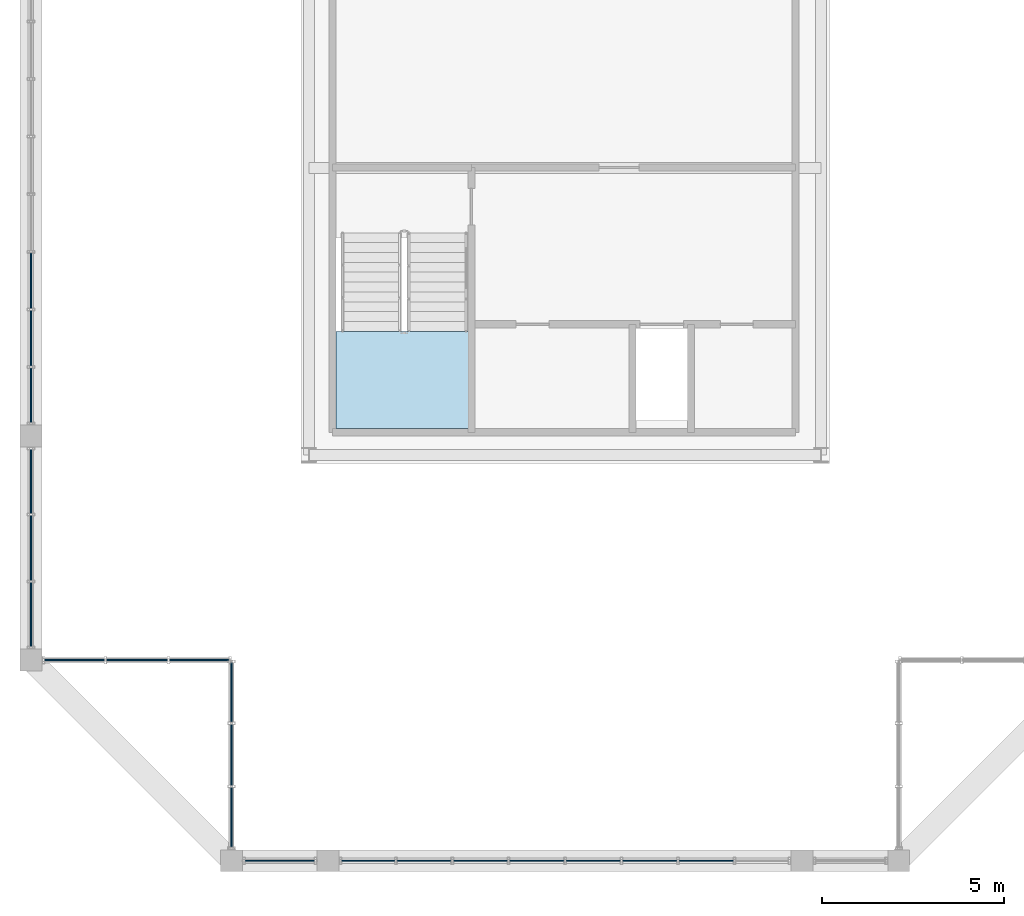
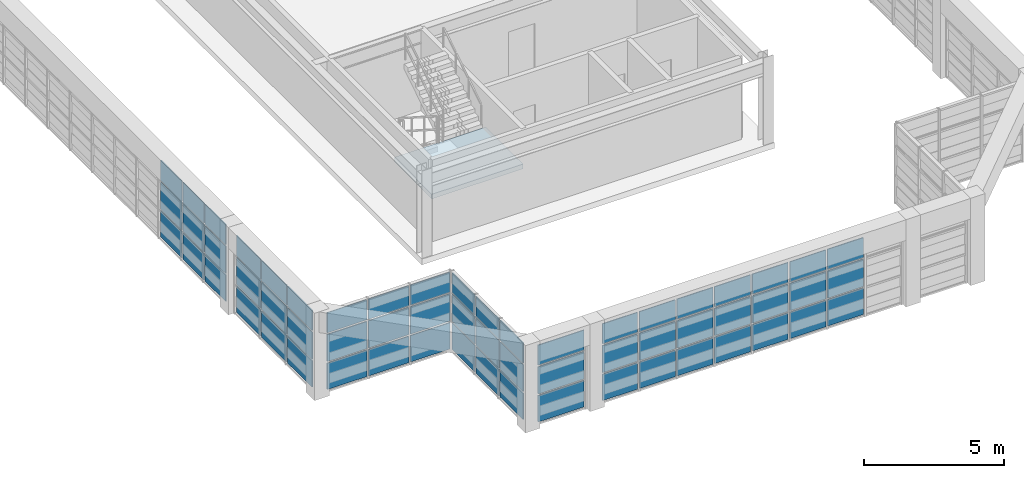
# One storey, part 20 of 27: 60 plates, 1 slab, 7 elements without a shape of their own.
"""IFC4 building model written with IfcOpenShell, lengths in metres."""

from ifc_helpers import new_model, si_unit, direction, frame, origin, origin_2d, place, context, subcontext, project, spatial, polyline, rectangle, outline, extrude, source, transform, mapped, material, layer, layer_set, type_object, element, aggregate, save


model = new_model("IFC4")

# Units and contexts
model_context = context("Model", 3, precision=1e-05, world=origin(), true_north=direction((0.0, 1.0)))
body_context = subcontext(model_context, "Body", "Model", "MODEL_VIEW")
ifc_project = project(units=[si_unit("LENGTHUNIT", "METRE"), si_unit("AREAUNIT", "SQUARE_METRE"), si_unit("VOLUMEUNIT", "CUBIC_METRE"), si_unit("PLANEANGLEUNIT", "RADIAN"), si_unit("MASSUNIT", "GRAM", prefix="KILO")], contexts=[model_context])

# Site, building, storey
site_placement = place(None, origin())
site = spatial("IfcSite", under=ifc_project, at=site_placement, CompositionType="ELEMENT")
building_placement = place(site_placement, origin())
building = spatial("IfcBuilding", under=site, at=building_placement, Name="Saelheon Loggia Tower", CompositionType="ELEMENT")
storey_placement = place(building_placement, frame((0.0, 0.0, 256.0)))
storey = spatial("IfcBuildingStorey", under=building, at=storey_placement, Name="CR2", CompositionType="ELEMENT", Elevation=256.0)

# Stair, slab
ifc_material_1 = material(Name="Concrete C40/50", Category="concrete")
stair_type = type_object("IfcStairType", Name="Stair_Plant_Crown", PredefinedType="HALF_TURN_STAIR", material=ifc_material_1)
stair_placement = place(storey_placement, origin())
stair = element("IfcStair", 1, at=stair_placement, inside=storey, type_object=stair_type, Name="CR2 Crown Plant Stair ST5", PredefinedType="HALF_TURN_STAIR")
ifc_layer_1 = layer(ifc_material_1, 0.199951171875)
ifc_layer_set_1 = layer_set([ifc_layer_1], Name="Concrete C40/50")
slab_type = type_object("IfcSlabType", Name="Slab_StairLanding_ST5", PredefinedType="LANDING", material=ifc_layer_set_1)
slab_placement = place(storey_placement, frame((0.0, 0.0, 1.699951171875)))
slab = element("IfcSlab", 2, at=slab_placement, type_object=slab_type, Name="ST5 landing 1", PredefinedType="LANDING", context=body_context, shape_type="SweptSolid", body=[
    extrude(outline(polyline([(31.7099609375, 20.8701171875), (31.7099609375, 18.2099609375), (35.469970703125, 18.2099609375), (35.469970703125, 20.8701171875), (31.7099609375, 20.8701171875)])), origin(), (0.0, 0.0, 1.0), 0.199951171875),
])
aggregate(stair, [slab])

# Curtain wall, plates
ifc_material_2 = material(Name="Bronze-Anodised Aluminium and Fritted Ceramic Screen", Category="aluminium")
ifc_layer_2 = layer(ifc_material_2, 0.219970703125)
ifc_layer_set_2 = layer_set([ifc_layer_2], Name="Bronze-Anodised Aluminium and Fritted Ceramic Screen")
curtain_wall_type = type_object("IfcCurtainWallType", Name="CW_CrownScreen", PredefinedType="NOTDEFINED", material=ifc_layer_set_2)
curtain_wall_1_placement = place(storey_placement, origin())
curtain_wall_1 = element("IfcCurtainWall", 3, at=curtain_wall_1_placement, inside=storey, type_object=curtain_wall_type, Name="CR2 Crown Screen Curtain Wall 0-1", PredefinedType="NOTDEFINED")
ifc_material_3 = material(Name="Bronze Ceramic Fritted Spandrel Panel", Category="aluminium")
ifc_layer_3 = layer(ifc_material_3, 0.0380859375)
ifc_layer_set_3 = layer_set([ifc_layer_3], Name="Bronze Ceramic Fritted Spandrel Panel")
plate_type = type_object("IfcPlateType", Name="CW_CrownScreen_Panel", PredefinedType="CURTAIN_PANEL", material=ifc_layer_set_3)
shared_shape_1 = source(origin(), body_context, "Body", "SweptSolid", [
    extrude(rectangle(XDim=1.889892578125, YDim=0.0380859375, at=origin_2d()), origin(), (0.0, 0.0, 1.0), 1.14501953125),
])
plate_1_placement = place(storey_placement, frame((30.175048828125, 6.35009765625, 0.070068359375), z_axis=(0.0, 0.0, 1.0), x_axis=(1.0, 0.0, 0.0)))
plate_1 = element("IfcPlate", 4, at=plate_1_placement, type_object=plate_type, Name="CW6 panel 1.1", PredefinedType="CURTAIN_PANEL", context=body_context, shape_type="MappedRepresentation", body=[
    mapped(shared_shape_1, transform((0.0, 0.0, 0.0), scale=1.0)),
])
shared_shape_2 = source(origin(), body_context, "Body", "SweptSolid", [
    extrude(rectangle(XDim=1.889892578125, YDim=0.0380859375, at=origin_2d()), origin(), (0.0, 0.0, 1.0), 1.179931640625),
])
plate_2_placement = place(storey_placement, frame((30.175048828125, 6.35009765625, 1.28515625), z_axis=(0.0, 0.0, 1.0), x_axis=(1.0, 0.0, 0.0)))
plate_2 = element("IfcPlate", 5, at=plate_2_placement, type_object=plate_type, Name="CW6 panel 1.2", PredefinedType="CURTAIN_PANEL", context=body_context, shape_type="MappedRepresentation", body=[
    mapped(shared_shape_2, transform((0.0, 0.0, 0.0), scale=1.0)),
])
shared_shape_3 = source(origin(), body_context, "Body", "SweptSolid", [
    extrude(rectangle(XDim=1.889892578125, YDim=0.0380859375, at=origin_2d()), origin(), (0.0, 0.0, 1.0), 0.875),
])
plate_3_placement = place(storey_placement, frame((30.175048828125, 6.35009765625, 2.534912109375), z_axis=(0.0, 0.0, 1.0), x_axis=(1.0, 0.0, 0.0)))
plate_3 = element("IfcPlate", 6, at=plate_3_placement, type_object=plate_type, Name="CW6 panel 1.3", PredefinedType="CURTAIN_PANEL", context=body_context, shape_type="MappedRepresentation", body=[
    mapped(shared_shape_3, transform((0.0, 0.0, 0.0), scale=1.0)),
])
aggregate(curtain_wall_1, [plate_1, plate_2, plate_3])

curtain_wall_2_placement = place(storey_placement, origin())
curtain_wall_2 = element("IfcCurtainWall", 7, at=curtain_wall_2_placement, inside=storey, type_object=curtain_wall_type, Name="CR2 Crown Screen Curtain Wall 0-2", PredefinedType="NOTDEFINED")
shared_shape_4 = source(origin(), body_context, "Body", "SweptSolid", [
    extrude(rectangle(XDim=1.4423828125, YDim=0.0380859375, at=origin_2d()), origin(), (0.0, 0.0, 1.0), 1.14501953125),
])
plate_4_placement = place(storey_placement, frame((32.601318359375, 6.35009765625, 0.070068359375), z_axis=(0.0, 0.0, 1.0), x_axis=(1.0, 0.0, 0.0)))
plate_4 = element("IfcPlate", 8, at=plate_4_placement, type_object=plate_type, Name="CW6 panel 1.1", PredefinedType="CURTAIN_PANEL", context=body_context, shape_type="MappedRepresentation", body=[
    mapped(shared_shape_4, transform((0.0, 0.0, 0.0), scale=1.0)),
])
shared_shape_5 = source(origin(), body_context, "Body", "SweptSolid", [
    extrude(rectangle(XDim=1.4423828125, YDim=0.0380859375, at=origin_2d()), origin(), (0.0, 0.0, 1.0), 1.179931640625),
])
plate_5_placement = place(storey_placement, frame((32.601318359375, 6.35009765625, 1.28515625), z_axis=(0.0, 0.0, 1.0), x_axis=(1.0, 0.0, 0.0)))
plate_5 = element("IfcPlate", 9, at=plate_5_placement, type_object=plate_type, Name="CW6 panel 1.2", PredefinedType="CURTAIN_PANEL", context=body_context, shape_type="MappedRepresentation", body=[
    mapped(shared_shape_5, transform((0.0, 0.0, 0.0), scale=1.0)),
])
shared_shape_6 = source(origin(), body_context, "Body", "SweptSolid", [
    extrude(rectangle(XDim=1.4423828125, YDim=0.0380859375, at=origin_2d()), origin(), (0.0, 0.0, 1.0), 0.875),
])
plate_6_placement = place(storey_placement, frame((32.601318359375, 6.35009765625, 2.534912109375), z_axis=(0.0, 0.0, 1.0), x_axis=(1.0, 0.0, 0.0)))
plate_6 = element("IfcPlate", 10, at=plate_6_placement, type_object=plate_type, Name="CW6 panel 1.3", PredefinedType="CURTAIN_PANEL", context=body_context, shape_type="MappedRepresentation", body=[
    mapped(shared_shape_6, transform((0.0, 0.0, 0.0), scale=1.0)),
])
shared_shape_7 = source(origin(), body_context, "Body", "SweptSolid", [
    extrude(rectangle(XDim=1.4775390625, YDim=0.0380859375, at=origin_2d()), origin(), (0.0, 0.0, 1.0), 1.14501953125),
])
plate_7_placement = place(storey_placement, frame((34.13134765625, 6.35009765625, 0.070068359375), z_axis=(0.0, 0.0, 1.0), x_axis=(1.0, 0.0, 0.0)))
plate_7 = element("IfcPlate", 11, at=plate_7_placement, type_object=plate_type, Name="CW6 panel 2.1", PredefinedType="CURTAIN_PANEL", context=body_context, shape_type="MappedRepresentation", body=[
    mapped(shared_shape_7, transform((0.0, 0.0, 0.0), scale=1.0)),
])
plate_8_placement = place(storey_placement, frame((35.6787109375, 6.35009765625, 0.070068359375), z_axis=(0.0, 0.0, 1.0), x_axis=(1.0, 0.0, 0.0)))
plate_8 = element("IfcPlate", 12, at=plate_8_placement, type_object=plate_type, Name="CW6 panel 3.1", PredefinedType="CURTAIN_PANEL", context=body_context, shape_type="MappedRepresentation", body=[
    mapped(shared_shape_7, transform((0.0, 0.0, 0.0), scale=1.0)),
])
plate_9_placement = place(storey_placement, frame((37.226318359375, 6.35009765625, 0.070068359375), z_axis=(0.0, 0.0, 1.0), x_axis=(1.0, 0.0, 0.0)))
plate_9 = element("IfcPlate", 13, at=plate_9_placement, type_object=plate_type, Name="CW6 panel 4.1", PredefinedType="CURTAIN_PANEL", context=body_context, shape_type="MappedRepresentation", body=[
    mapped(shared_shape_7, transform((0.0, 0.0, 0.0), scale=1.0)),
])
plate_10_placement = place(storey_placement, frame((38.773681640625, 6.35009765625, 0.070068359375), z_axis=(0.0, 0.0, 1.0), x_axis=(1.0, 0.0, 0.0)))
plate_10 = element("IfcPlate", 14, at=plate_10_placement, type_object=plate_type, Name="CW6 panel 5.1", PredefinedType="CURTAIN_PANEL", context=body_context, shape_type="MappedRepresentation", body=[
    mapped(shared_shape_7, transform((0.0, 0.0, 0.0), scale=1.0)),
])
plate_11_placement = place(storey_placement, frame((40.3212890625, 6.35009765625, 0.070068359375), z_axis=(0.0, 0.0, 1.0), x_axis=(1.0, 0.0, 0.0)))
plate_11 = element("IfcPlate", 15, at=plate_11_placement, type_object=plate_type, Name="CW6 panel 6.1", PredefinedType="CURTAIN_PANEL", context=body_context, shape_type="MappedRepresentation", body=[
    mapped(shared_shape_7, transform((0.0, 0.0, 0.0), scale=1.0)),
])
plate_12_placement = place(storey_placement, frame((41.86865234375, 6.35009765625, 0.070068359375), z_axis=(0.0, 0.0, 1.0), x_axis=(1.0, 0.0, 0.0)))
plate_12 = element("IfcPlate", 16, at=plate_12_placement, type_object=plate_type, Name="CW6 panel 7.1", PredefinedType="CURTAIN_PANEL", context=body_context, shape_type="MappedRepresentation", body=[
    mapped(shared_shape_7, transform((0.0, 0.0, 0.0), scale=1.0)),
])
shared_shape_8 = source(origin(), body_context, "Body", "SweptSolid", [
    extrude(rectangle(XDim=1.4775390625, YDim=0.0380859375, at=origin_2d()), origin(), (0.0, 0.0, 1.0), 1.179931640625),
])
plate_13_placement = place(storey_placement, frame((34.13134765625, 6.35009765625, 1.28515625), z_axis=(0.0, 0.0, 1.0), x_axis=(1.0, 0.0, 0.0)))
plate_13 = element("IfcPlate", 17, at=plate_13_placement, type_object=plate_type, Name="CW6 panel 2.2", PredefinedType="CURTAIN_PANEL", context=body_context, shape_type="MappedRepresentation", body=[
    mapped(shared_shape_8, transform((0.0, 0.0, 0.0), scale=1.0)),
])
plate_14_placement = place(storey_placement, frame((35.6787109375, 6.35009765625, 1.28515625), z_axis=(0.0, 0.0, 1.0), x_axis=(1.0, 0.0, 0.0)))
plate_14 = element("IfcPlate", 18, at=plate_14_placement, type_object=plate_type, Name="CW6 panel 3.2", PredefinedType="CURTAIN_PANEL", context=body_context, shape_type="MappedRepresentation", body=[
    mapped(shared_shape_8, transform((0.0, 0.0, 0.0), scale=1.0)),
])
plate_15_placement = place(storey_placement, frame((37.226318359375, 6.35009765625, 1.28515625), z_axis=(0.0, 0.0, 1.0), x_axis=(1.0, 0.0, 0.0)))
plate_15 = element("IfcPlate", 19, at=plate_15_placement, type_object=plate_type, Name="CW6 panel 4.2", PredefinedType="CURTAIN_PANEL", context=body_context, shape_type="MappedRepresentation", body=[
    mapped(shared_shape_8, transform((0.0, 0.0, 0.0), scale=1.0)),
])
plate_16_placement = place(storey_placement, frame((38.773681640625, 6.35009765625, 1.28515625), z_axis=(0.0, 0.0, 1.0), x_axis=(1.0, 0.0, 0.0)))
plate_16 = element("IfcPlate", 20, at=plate_16_placement, type_object=plate_type, Name="CW6 panel 5.2", PredefinedType="CURTAIN_PANEL", context=body_context, shape_type="MappedRepresentation", body=[
    mapped(shared_shape_8, transform((0.0, 0.0, 0.0), scale=1.0)),
])
plate_17_placement = place(storey_placement, frame((40.3212890625, 6.35009765625, 1.28515625), z_axis=(0.0, 0.0, 1.0), x_axis=(1.0, 0.0, 0.0)))
plate_17 = element("IfcPlate", 21, at=plate_17_placement, type_object=plate_type, Name="CW6 panel 6.2", PredefinedType="CURTAIN_PANEL", context=body_context, shape_type="MappedRepresentation", body=[
    mapped(shared_shape_8, transform((0.0, 0.0, 0.0), scale=1.0)),
])
plate_18_placement = place(storey_placement, frame((41.86865234375, 6.35009765625, 1.28515625), z_axis=(0.0, 0.0, 1.0), x_axis=(1.0, 0.0, 0.0)))
plate_18 = element("IfcPlate", 22, at=plate_18_placement, type_object=plate_type, Name="CW6 panel 7.2", PredefinedType="CURTAIN_PANEL", context=body_context, shape_type="MappedRepresentation", body=[
    mapped(shared_shape_8, transform((0.0, 0.0, 0.0), scale=1.0)),
])
shared_shape_9 = source(origin(), body_context, "Body", "SweptSolid", [
    extrude(rectangle(XDim=1.4775390625, YDim=0.0380859375, at=origin_2d()), origin(), (0.0, 0.0, 1.0), 0.875),
])
plate_19_placement = place(storey_placement, frame((34.13134765625, 6.35009765625, 2.534912109375), z_axis=(0.0, 0.0, 1.0), x_axis=(1.0, 0.0, 0.0)))
plate_19 = element("IfcPlate", 23, at=plate_19_placement, type_object=plate_type, Name="CW6 panel 2.3", PredefinedType="CURTAIN_PANEL", context=body_context, shape_type="MappedRepresentation", body=[
    mapped(shared_shape_9, transform((0.0, 0.0, 0.0), scale=1.0)),
])
plate_20_placement = place(storey_placement, frame((35.6787109375, 6.35009765625, 2.534912109375), z_axis=(0.0, 0.0, 1.0), x_axis=(1.0, 0.0, 0.0)))
plate_20 = element("IfcPlate", 24, at=plate_20_placement, type_object=plate_type, Name="CW6 panel 3.3", PredefinedType="CURTAIN_PANEL", context=body_context, shape_type="MappedRepresentation", body=[
    mapped(shared_shape_9, transform((0.0, 0.0, 0.0), scale=1.0)),
])
plate_21_placement = place(storey_placement, frame((37.226318359375, 6.35009765625, 2.534912109375), z_axis=(0.0, 0.0, 1.0), x_axis=(1.0, 0.0, 0.0)))
plate_21 = element("IfcPlate", 25, at=plate_21_placement, type_object=plate_type, Name="CW6 panel 4.3", PredefinedType="CURTAIN_PANEL", context=body_context, shape_type="MappedRepresentation", body=[
    mapped(shared_shape_9, transform((0.0, 0.0, 0.0), scale=1.0)),
])
plate_22_placement = place(storey_placement, frame((38.773681640625, 6.35009765625, 2.534912109375), z_axis=(0.0, 0.0, 1.0), x_axis=(1.0, 0.0, 0.0)))
plate_22 = element("IfcPlate", 26, at=plate_22_placement, type_object=plate_type, Name="CW6 panel 5.3", PredefinedType="CURTAIN_PANEL", context=body_context, shape_type="MappedRepresentation", body=[
    mapped(shared_shape_9, transform((0.0, 0.0, 0.0), scale=1.0)),
])
plate_23_placement = place(storey_placement, frame((40.3212890625, 6.35009765625, 2.534912109375), z_axis=(0.0, 0.0, 1.0), x_axis=(1.0, 0.0, 0.0)))
plate_23 = element("IfcPlate", 27, at=plate_23_placement, type_object=plate_type, Name="CW6 panel 6.3", PredefinedType="CURTAIN_PANEL", context=body_context, shape_type="MappedRepresentation", body=[
    mapped(shared_shape_9, transform((0.0, 0.0, 0.0), scale=1.0)),
])
plate_24_placement = place(storey_placement, frame((41.86865234375, 6.35009765625, 2.534912109375), z_axis=(0.0, 0.0, 1.0), x_axis=(1.0, 0.0, 0.0)))
plate_24 = element("IfcPlate", 28, at=plate_24_placement, type_object=plate_type, Name="CW6 panel 7.3", PredefinedType="CURTAIN_PANEL", context=body_context, shape_type="MappedRepresentation", body=[
    mapped(shared_shape_9, transform((0.0, 0.0, 0.0), scale=1.0)),
])
aggregate(curtain_wall_2, [plate_4, plate_5, plate_6, plate_7, plate_13, plate_19, plate_8, plate_14, plate_20, plate_9, plate_15, plate_21, plate_10, plate_16, plate_22, plate_11, plate_17, plate_23, plate_12, plate_18, plate_24])

curtain_wall_3_placement = place(storey_placement, origin())
curtain_wall_3 = element("IfcCurtainWall", 29, at=curtain_wall_3_placement, inside=storey, type_object=curtain_wall_type, Name="CR2 Crown Screen Curtain Wall 10-1", PredefinedType="NOTDEFINED")
shared_shape_10 = source(origin(), body_context, "Body", "SweptSolid", [
    extrude(rectangle(XDim=1.625, YDim=0.0380859375, at=origin_2d()), origin(), (0.0, 0.0, 1.0), 1.14501953125),
])
plate_25_placement = place(storey_placement, frame((24.54248046875, 11.85009765625, 0.070068359375), z_axis=(0.0, 0.0, 1.0), x_axis=(1.0, 0.0, 0.0)))
plate_25 = element("IfcPlate", 30, at=plate_25_placement, type_object=plate_type, Name="CW6 panel 1.1", PredefinedType="CURTAIN_PANEL", context=body_context, shape_type="MappedRepresentation", body=[
    mapped(shared_shape_10, transform((0.0, 0.0, 0.0), scale=1.0)),
])
plate_26_placement = place(storey_placement, frame((27.967529296875, 11.85009765625, 0.070068359375), z_axis=(0.0, 0.0, 1.0), x_axis=(1.0, 0.0, 0.0)))
plate_26 = element("IfcPlate", 31, at=plate_26_placement, type_object=plate_type, Name="CW6 panel 3.1", PredefinedType="CURTAIN_PANEL", context=body_context, shape_type="MappedRepresentation", body=[
    mapped(shared_shape_10, transform((0.0, 0.0, 0.0), scale=1.0)),
])

curtain_wall_4_placement = place(storey_placement, origin())
curtain_wall_4 = element("IfcCurtainWall", 32, at=curtain_wall_4_placement, inside=storey, type_object=curtain_wall_type, Name="CR2 Crown Screen Curtain Wall 11-1", PredefinedType="NOTDEFINED")
plate_27_placement = place(storey_placement, frame((28.85009765625, 10.967529296875, 0.070068359375), z_axis=(0.0, 0.0, 1.0), x_axis=(0.0, -1.0, 0.0)))
plate_27 = element("IfcPlate", 33, at=plate_27_placement, type_object=plate_type, Name="CW6 panel 1.1", PredefinedType="CURTAIN_PANEL", context=body_context, shape_type="MappedRepresentation", body=[
    mapped(shared_shape_10, transform((0.0, 0.0, 0.0), scale=1.0)),
])
plate_28_placement = place(storey_placement, frame((28.85009765625, 7.54248046875, 0.070068359375), z_axis=(0.0, 0.0, 1.0), x_axis=(0.0, -1.0, 0.0)))
plate_28 = element("IfcPlate", 34, at=plate_28_placement, type_object=plate_type, Name="CW6 panel 3.1", PredefinedType="CURTAIN_PANEL", context=body_context, shape_type="MappedRepresentation", body=[
    mapped(shared_shape_10, transform((0.0, 0.0, 0.0), scale=1.0)),
])

# Plate
shared_shape_11 = source(origin(), body_context, "Body", "SweptSolid", [
    extrude(rectangle(XDim=1.625, YDim=0.0380859375, at=origin_2d()), origin(), (0.0, 0.0, 1.0), 1.179931640625),
])
plate_29_placement = place(storey_placement, frame((24.54248046875, 11.85009765625, 1.28515625), z_axis=(0.0, 0.0, 1.0), x_axis=(1.0, 0.0, 0.0)))
plate_29 = element("IfcPlate", 35, at=plate_29_placement, type_object=plate_type, Name="CW6 panel 1.2", PredefinedType="CURTAIN_PANEL", context=body_context, shape_type="MappedRepresentation", body=[
    mapped(shared_shape_11, transform((0.0, 0.0, 0.0), scale=1.0)),
])

plate_30_placement = place(storey_placement, frame((27.967529296875, 11.85009765625, 1.28515625), z_axis=(0.0, 0.0, 1.0), x_axis=(1.0, 0.0, 0.0)))
plate_30 = element("IfcPlate", 36, at=plate_30_placement, type_object=plate_type, Name="CW6 panel 3.2", PredefinedType="CURTAIN_PANEL", context=body_context, shape_type="MappedRepresentation", body=[
    mapped(shared_shape_11, transform((0.0, 0.0, 0.0), scale=1.0)),
])

plate_31_placement = place(storey_placement, frame((28.85009765625, 10.967529296875, 1.28515625), z_axis=(0.0, 0.0, 1.0), x_axis=(0.0, -1.0, 0.0)))
plate_31 = element("IfcPlate", 37, at=plate_31_placement, type_object=plate_type, Name="CW6 panel 1.2", PredefinedType="CURTAIN_PANEL", context=body_context, shape_type="MappedRepresentation", body=[
    mapped(shared_shape_11, transform((0.0, 0.0, 0.0), scale=1.0)),
])

plate_32_placement = place(storey_placement, frame((28.85009765625, 7.54248046875, 1.28515625), z_axis=(0.0, 0.0, 1.0), x_axis=(0.0, -1.0, 0.0)))
plate_32 = element("IfcPlate", 38, at=plate_32_placement, type_object=plate_type, Name="CW6 panel 3.2", PredefinedType="CURTAIN_PANEL", context=body_context, shape_type="MappedRepresentation", body=[
    mapped(shared_shape_11, transform((0.0, 0.0, 0.0), scale=1.0)),
])

shared_shape_12 = source(origin(), body_context, "Body", "SweptSolid", [
    extrude(rectangle(XDim=1.625, YDim=0.0380859375, at=origin_2d()), origin(), (0.0, 0.0, 1.0), 0.875),
])
plate_33_placement = place(storey_placement, frame((24.54248046875, 11.85009765625, 2.534912109375), z_axis=(0.0, 0.0, 1.0), x_axis=(1.0, 0.0, 0.0)))
plate_33 = element("IfcPlate", 39, at=plate_33_placement, type_object=plate_type, Name="CW6 panel 1.3", PredefinedType="CURTAIN_PANEL", context=body_context, shape_type="MappedRepresentation", body=[
    mapped(shared_shape_12, transform((0.0, 0.0, 0.0), scale=1.0)),
])

plate_34_placement = place(storey_placement, frame((27.967529296875, 11.85009765625, 2.534912109375), z_axis=(0.0, 0.0, 1.0), x_axis=(1.0, 0.0, 0.0)))
plate_34 = element("IfcPlate", 40, at=plate_34_placement, type_object=plate_type, Name="CW6 panel 3.3", PredefinedType="CURTAIN_PANEL", context=body_context, shape_type="MappedRepresentation", body=[
    mapped(shared_shape_12, transform((0.0, 0.0, 0.0), scale=1.0)),
])

plate_35_placement = place(storey_placement, frame((28.85009765625, 10.967529296875, 2.534912109375), z_axis=(0.0, 0.0, 1.0), x_axis=(0.0, -1.0, 0.0)))
plate_35 = element("IfcPlate", 41, at=plate_35_placement, type_object=plate_type, Name="CW6 panel 1.3", PredefinedType="CURTAIN_PANEL", context=body_context, shape_type="MappedRepresentation", body=[
    mapped(shared_shape_12, transform((0.0, 0.0, 0.0), scale=1.0)),
])

plate_36_placement = place(storey_placement, frame((28.85009765625, 7.54248046875, 2.534912109375), z_axis=(0.0, 0.0, 1.0), x_axis=(0.0, -1.0, 0.0)))
plate_36 = element("IfcPlate", 42, at=plate_36_placement, type_object=plate_type, Name="CW6 panel 3.3", PredefinedType="CURTAIN_PANEL", context=body_context, shape_type="MappedRepresentation", body=[
    mapped(shared_shape_12, transform((0.0, 0.0, 0.0), scale=1.0)),
])

shared_shape_13 = source(origin(), body_context, "Body", "SweptSolid", [
    extrude(rectangle(XDim=1.659912109375, YDim=0.0380859375, at=origin_2d()), origin(), (0.0, 0.0, 1.0), 1.14501953125),
])
plate_37_placement = place(storey_placement, frame((26.2548828125, 11.85009765625, 0.070068359375), z_axis=(0.0, 0.0, 1.0), x_axis=(1.0, 0.0, 0.0)))
plate_37 = element("IfcPlate", 43, at=plate_37_placement, type_object=plate_type, Name="CW6 panel 2.1", PredefinedType="CURTAIN_PANEL", context=body_context, shape_type="MappedRepresentation", body=[
    mapped(shared_shape_13, transform((0.0, 0.0, 0.0), scale=1.0)),
])

plate_38_placement = place(storey_placement, frame((28.85009765625, 9.2548828125, 0.070068359375), z_axis=(0.0, 0.0, 1.0), x_axis=(0.0, -1.0, 0.0)))
plate_38 = element("IfcPlate", 44, at=plate_38_placement, type_object=plate_type, Name="CW6 panel 2.1", PredefinedType="CURTAIN_PANEL", context=body_context, shape_type="MappedRepresentation", body=[
    mapped(shared_shape_13, transform((0.0, 0.0, 0.0), scale=1.0)),
])

shared_shape_14 = source(origin(), body_context, "Body", "SweptSolid", [
    extrude(rectangle(XDim=1.659912109375, YDim=0.0380859375, at=origin_2d()), origin(), (0.0, 0.0, 1.0), 1.179931640625),
])
plate_39_placement = place(storey_placement, frame((26.2548828125, 11.85009765625, 1.28515625), z_axis=(0.0, 0.0, 1.0), x_axis=(1.0, 0.0, 0.0)))
plate_39 = element("IfcPlate", 45, at=plate_39_placement, type_object=plate_type, Name="CW6 panel 2.2", PredefinedType="CURTAIN_PANEL", context=body_context, shape_type="MappedRepresentation", body=[
    mapped(shared_shape_14, transform((0.0, 0.0, 0.0), scale=1.0)),
])

plate_40_placement = place(storey_placement, frame((28.85009765625, 9.2548828125, 1.28515625), z_axis=(0.0, 0.0, 1.0), x_axis=(0.0, -1.0, 0.0)))
plate_40 = element("IfcPlate", 46, at=plate_40_placement, type_object=plate_type, Name="CW6 panel 2.2", PredefinedType="CURTAIN_PANEL", context=body_context, shape_type="MappedRepresentation", body=[
    mapped(shared_shape_14, transform((0.0, 0.0, 0.0), scale=1.0)),
])

shared_shape_15 = source(origin(), body_context, "Body", "SweptSolid", [
    extrude(rectangle(XDim=1.659912109375, YDim=0.0380859375, at=origin_2d()), origin(), (0.0, 0.0, 1.0), 0.875),
])
plate_41_placement = place(storey_placement, frame((26.2548828125, 11.85009765625, 2.534912109375), z_axis=(0.0, 0.0, 1.0), x_axis=(1.0, 0.0, 0.0)))
plate_41 = element("IfcPlate", 47, at=plate_41_placement, type_object=plate_type, Name="CW6 panel 2.3", PredefinedType="CURTAIN_PANEL", context=body_context, shape_type="MappedRepresentation", body=[
    mapped(shared_shape_15, transform((0.0, 0.0, 0.0), scale=1.0)),
])

aggregate(curtain_wall_3, [plate_25, plate_29, plate_33, plate_37, plate_39, plate_41, plate_26, plate_30, plate_34])

plate_42_placement = place(storey_placement, frame((28.85009765625, 9.2548828125, 2.534912109375), z_axis=(0.0, 0.0, 1.0), x_axis=(0.0, -1.0, 0.0)))
plate_42 = element("IfcPlate", 48, at=plate_42_placement, type_object=plate_type, Name="CW6 panel 2.3", PredefinedType="CURTAIN_PANEL", context=body_context, shape_type="MappedRepresentation", body=[
    mapped(shared_shape_15, transform((0.0, 0.0, 0.0), scale=1.0)),
])

aggregate(curtain_wall_4, [plate_27, plate_31, plate_35, plate_38, plate_40, plate_42, plate_28, plate_32, plate_36])

# Curtain wall, plates
curtain_wall_5_placement = place(storey_placement, origin())
curtain_wall_5 = element("IfcCurtainWall", 49, at=curtain_wall_5_placement, inside=storey, type_object=curtain_wall_type, Name="CR2 Crown Screen Curtain Wall 9-3", PredefinedType="NOTDEFINED")
shared_shape_16 = source(origin(), body_context, "Body", "SweptSolid", [
    extrude(rectangle(XDim=1.73828125, YDim=0.0380859375, at=origin_2d()), origin(), (0.0, 0.0, 1.0), 1.14501953125),
])
plate_43_placement = place(storey_placement, frame((23.35009765625, 16.750732421875, 0.070068359375), z_axis=(0.0, 0.0, 1.0), x_axis=(0.0, -1.0, 0.0)))
plate_43 = element("IfcPlate", 50, at=plate_43_placement, type_object=plate_type, Name="CW6 panel 1.1", PredefinedType="CURTAIN_PANEL", context=body_context, shape_type="MappedRepresentation", body=[
    mapped(shared_shape_16, transform((0.0, 0.0, 0.0), scale=1.0)),
])
plate_44_placement = place(storey_placement, frame((23.35009765625, 13.09912109375, 0.070068359375), z_axis=(0.0, 0.0, 1.0), x_axis=(0.0, -1.0, 0.0)))
plate_44 = element("IfcPlate", 51, at=plate_44_placement, type_object=plate_type, Name="CW6 panel 3.1", PredefinedType="CURTAIN_PANEL", context=body_context, shape_type="MappedRepresentation", body=[
    mapped(shared_shape_16, transform((0.0, 0.0, 0.0), scale=1.0)),
])
shared_shape_17 = source(origin(), body_context, "Body", "SweptSolid", [
    extrude(rectangle(XDim=1.73828125, YDim=0.0380859375, at=origin_2d()), origin(), (0.0, 0.0, 1.0), 1.179931640625),
])
plate_45_placement = place(storey_placement, frame((23.35009765625, 16.750732421875, 1.28515625), z_axis=(0.0, 0.0, 1.0), x_axis=(0.0, -1.0, 0.0)))
plate_45 = element("IfcPlate", 52, at=plate_45_placement, type_object=plate_type, Name="CW6 panel 1.2", PredefinedType="CURTAIN_PANEL", context=body_context, shape_type="MappedRepresentation", body=[
    mapped(shared_shape_17, transform((0.0, 0.0, 0.0), scale=1.0)),
])
plate_46_placement = place(storey_placement, frame((23.35009765625, 13.09912109375, 1.28515625), z_axis=(0.0, 0.0, 1.0), x_axis=(0.0, -1.0, 0.0)))
plate_46 = element("IfcPlate", 53, at=plate_46_placement, type_object=plate_type, Name="CW6 panel 3.2", PredefinedType="CURTAIN_PANEL", context=body_context, shape_type="MappedRepresentation", body=[
    mapped(shared_shape_17, transform((0.0, 0.0, 0.0), scale=1.0)),
])
shared_shape_18 = source(origin(), body_context, "Body", "SweptSolid", [
    extrude(rectangle(XDim=1.73828125, YDim=0.0380859375, at=origin_2d()), origin(), (0.0, 0.0, 1.0), 0.875),
])
plate_47_placement = place(storey_placement, frame((23.35009765625, 16.750732421875, 2.534912109375), z_axis=(0.0, 0.0, 1.0), x_axis=(0.0, -1.0, 0.0)))
plate_47 = element("IfcPlate", 54, at=plate_47_placement, type_object=plate_type, Name="CW6 panel 1.3", PredefinedType="CURTAIN_PANEL", context=body_context, shape_type="MappedRepresentation", body=[
    mapped(shared_shape_18, transform((0.0, 0.0, 0.0), scale=1.0)),
])
plate_48_placement = place(storey_placement, frame((23.35009765625, 13.09912109375, 2.534912109375), z_axis=(0.0, 0.0, 1.0), x_axis=(0.0, -1.0, 0.0)))
plate_48 = element("IfcPlate", 55, at=plate_48_placement, type_object=plate_type, Name="CW6 panel 3.3", PredefinedType="CURTAIN_PANEL", context=body_context, shape_type="MappedRepresentation", body=[
    mapped(shared_shape_18, transform((0.0, 0.0, 0.0), scale=1.0)),
])
shared_shape_19 = source(origin(), body_context, "Body", "SweptSolid", [
    extrude(rectangle(XDim=1.7734375, YDim=0.0380859375, at=origin_2d()), origin(), (0.0, 0.0, 1.0), 1.14501953125),
])
plate_49_placement = place(storey_placement, frame((23.35009765625, 14.925048828125, 0.070068359375), z_axis=(0.0, 0.0, 1.0), x_axis=(0.0, -1.0, 0.0)))
plate_49 = element("IfcPlate", 56, at=plate_49_placement, type_object=plate_type, Name="CW6 panel 2.1", PredefinedType="CURTAIN_PANEL", context=body_context, shape_type="MappedRepresentation", body=[
    mapped(shared_shape_19, transform((0.0, 0.0, 0.0), scale=1.0)),
])
shared_shape_20 = source(origin(), body_context, "Body", "SweptSolid", [
    extrude(rectangle(XDim=1.7734375, YDim=0.0380859375, at=origin_2d()), origin(), (0.0, 0.0, 1.0), 1.179931640625),
])
plate_50_placement = place(storey_placement, frame((23.35009765625, 14.925048828125, 1.28515625), z_axis=(0.0, 0.0, 1.0), x_axis=(0.0, -1.0, 0.0)))
plate_50 = element("IfcPlate", 57, at=plate_50_placement, type_object=plate_type, Name="CW6 panel 2.2", PredefinedType="CURTAIN_PANEL", context=body_context, shape_type="MappedRepresentation", body=[
    mapped(shared_shape_20, transform((0.0, 0.0, 0.0), scale=1.0)),
])
shared_shape_21 = source(origin(), body_context, "Body", "SweptSolid", [
    extrude(rectangle(XDim=1.7734375, YDim=0.0380859375, at=origin_2d()), origin(), (0.0, 0.0, 1.0), 0.875),
])
plate_51_placement = place(storey_placement, frame((23.35009765625, 14.925048828125, 2.534912109375), z_axis=(0.0, 0.0, 1.0), x_axis=(0.0, -1.0, 0.0)))
plate_51 = element("IfcPlate", 58, at=plate_51_placement, type_object=plate_type, Name="CW6 panel 2.3", PredefinedType="CURTAIN_PANEL", context=body_context, shape_type="MappedRepresentation", body=[
    mapped(shared_shape_21, transform((0.0, 0.0, 0.0), scale=1.0)),
])
aggregate(curtain_wall_5, [plate_43, plate_45, plate_47, plate_49, plate_50, plate_51, plate_44, plate_46, plate_48])

curtain_wall_6_placement = place(storey_placement, origin())
curtain_wall_6 = element("IfcCurtainWall", 59, at=curtain_wall_6_placement, inside=storey, type_object=curtain_wall_type, Name="CR2 Crown Screen Curtain Wall 9-2", PredefinedType="NOTDEFINED")
shared_shape_22 = source(origin(), body_context, "Body", "SweptSolid", [
    extrude(rectangle(XDim=1.47509765625, YDim=0.0380859375, at=origin_2d()), origin(), (0.0, 0.0, 1.0), 1.14501953125),
])
plate_52_placement = place(storey_placement, frame((23.35009765625, 19.117431640625, 0.070068359375), z_axis=(0.0, 0.0, 1.0), x_axis=(0.0, -1.0, 0.0)))
plate_52 = element("IfcPlate", 60, at=plate_52_placement, type_object=plate_type, Name="CW6 panel 11.1", PredefinedType="CURTAIN_PANEL", context=body_context, shape_type="MappedRepresentation", body=[
    mapped(shared_shape_22, transform((0.0, 0.0, 0.0), scale=1.0)),
])
shared_shape_23 = source(origin(), body_context, "Body", "SweptSolid", [
    extrude(rectangle(XDim=1.47509765625, YDim=0.0380859375, at=origin_2d()), origin(), (0.0, 0.0, 1.0), 1.179931640625),
])
plate_53_placement = place(storey_placement, frame((23.35009765625, 19.117431640625, 1.28515625), z_axis=(0.0, 0.0, 1.0), x_axis=(0.0, -1.0, 0.0)))
plate_53 = element("IfcPlate", 61, at=plate_53_placement, type_object=plate_type, Name="CW6 panel 11.2", PredefinedType="CURTAIN_PANEL", context=body_context, shape_type="MappedRepresentation", body=[
    mapped(shared_shape_23, transform((0.0, 0.0, 0.0), scale=1.0)),
])
shared_shape_24 = source(origin(), body_context, "Body", "SweptSolid", [
    extrude(rectangle(XDim=1.47509765625, YDim=0.0380859375, at=origin_2d()), origin(), (0.0, 0.0, 1.0), 0.875),
])
plate_54_placement = place(storey_placement, frame((23.35009765625, 19.117431640625, 2.534912109375), z_axis=(0.0, 0.0, 1.0), x_axis=(0.0, -1.0, 0.0)))
plate_54 = element("IfcPlate", 62, at=plate_54_placement, type_object=plate_type, Name="CW6 panel 11.3", PredefinedType="CURTAIN_PANEL", context=body_context, shape_type="MappedRepresentation", body=[
    mapped(shared_shape_24, transform((0.0, 0.0, 0.0), scale=1.0)),
])
shared_shape_25 = source(origin(), body_context, "Body", "SweptSolid", [
    extrude(rectangle(XDim=1.510009765625, YDim=0.0380859375, at=origin_2d()), origin(), (0.0, 0.0, 1.0), 1.14501953125),
])
plate_55_placement = place(storey_placement, frame((23.35009765625, 22.260009765625, 0.070068359375), z_axis=(0.0, 0.0, 1.0), x_axis=(0.0, -1.0, 0.0)))
plate_55 = element("IfcPlate", 63, at=plate_55_placement, type_object=plate_type, Name="CW6 panel 9.1", PredefinedType="CURTAIN_PANEL", context=body_context, shape_type="MappedRepresentation", body=[
    mapped(shared_shape_25, transform((0.0, 0.0, 0.0), scale=1.0)),
])
plate_56_placement = place(storey_placement, frame((23.35009765625, 20.679931640625, 0.070068359375), z_axis=(0.0, 0.0, 1.0), x_axis=(0.0, -1.0, 0.0)))
plate_56 = element("IfcPlate", 64, at=plate_56_placement, type_object=plate_type, Name="CW6 panel 10.1", PredefinedType="CURTAIN_PANEL", context=body_context, shape_type="MappedRepresentation", body=[
    mapped(shared_shape_25, transform((0.0, 0.0, 0.0), scale=1.0)),
])
shared_shape_26 = source(origin(), body_context, "Body", "SweptSolid", [
    extrude(rectangle(XDim=1.510009765625, YDim=0.0380859375, at=origin_2d()), origin(), (0.0, 0.0, 1.0), 1.179931640625),
])
plate_57_placement = place(storey_placement, frame((23.35009765625, 22.260009765625, 1.28515625), z_axis=(0.0, 0.0, 1.0), x_axis=(0.0, -1.0, 0.0)))
plate_57 = element("IfcPlate", 65, at=plate_57_placement, type_object=plate_type, Name="CW6 panel 9.2", PredefinedType="CURTAIN_PANEL", context=body_context, shape_type="MappedRepresentation", body=[
    mapped(shared_shape_26, transform((0.0, 0.0, 0.0), scale=1.0)),
])
plate_58_placement = place(storey_placement, frame((23.35009765625, 20.679931640625, 1.28515625), z_axis=(0.0, 0.0, 1.0), x_axis=(0.0, -1.0, 0.0)))
plate_58 = element("IfcPlate", 66, at=plate_58_placement, type_object=plate_type, Name="CW6 panel 10.2", PredefinedType="CURTAIN_PANEL", context=body_context, shape_type="MappedRepresentation", body=[
    mapped(shared_shape_26, transform((0.0, 0.0, 0.0), scale=1.0)),
])
shared_shape_27 = source(origin(), body_context, "Body", "SweptSolid", [
    extrude(rectangle(XDim=1.510009765625, YDim=0.0380859375, at=origin_2d()), origin(), (0.0, 0.0, 1.0), 0.875),
])
plate_59_placement = place(storey_placement, frame((23.35009765625, 22.260009765625, 2.534912109375), z_axis=(0.0, 0.0, 1.0), x_axis=(0.0, -1.0, 0.0)))
plate_59 = element("IfcPlate", 67, at=plate_59_placement, type_object=plate_type, Name="CW6 panel 9.3", PredefinedType="CURTAIN_PANEL", context=body_context, shape_type="MappedRepresentation", body=[
    mapped(shared_shape_27, transform((0.0, 0.0, 0.0), scale=1.0)),
])
plate_60_placement = place(storey_placement, frame((23.35009765625, 20.679931640625, 2.534912109375), z_axis=(0.0, 0.0, 1.0), x_axis=(0.0, -1.0, 0.0)))
plate_60 = element("IfcPlate", 68, at=plate_60_placement, type_object=plate_type, Name="CW6 panel 10.3", PredefinedType="CURTAIN_PANEL", context=body_context, shape_type="MappedRepresentation", body=[
    mapped(shared_shape_27, transform((0.0, 0.0, 0.0), scale=1.0)),
])
aggregate(curtain_wall_6, [plate_55, plate_57, plate_59, plate_56, plate_58, plate_60, plate_52, plate_53, plate_54])

save(model, "model.ifc")
